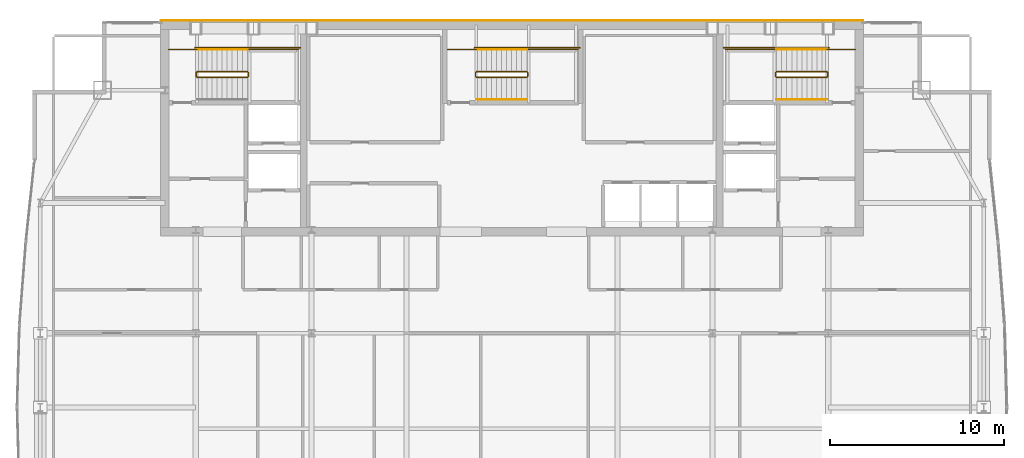
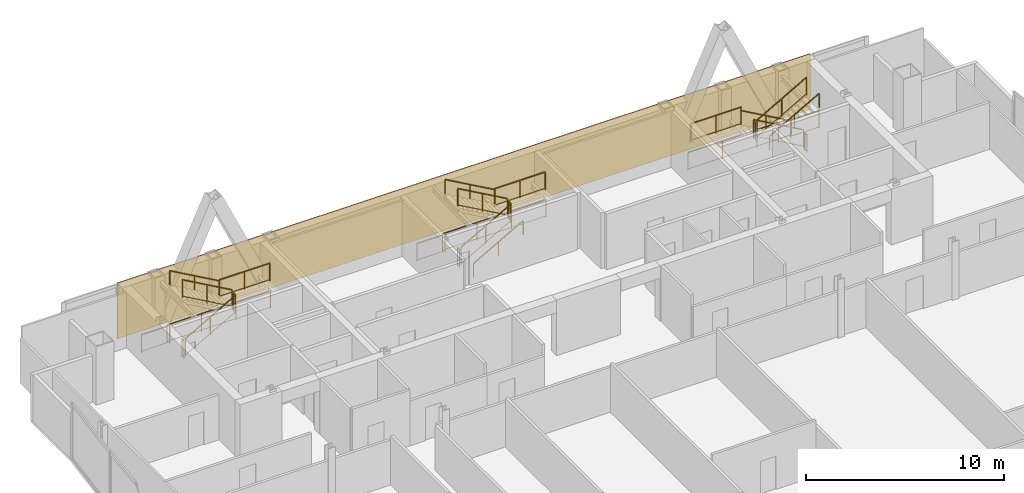
# One storey, part 30 of 30: 26 railings, 1 covering.
"""IFC4 building model written with IfcOpenShell, lengths in metres."""

from ifc_helpers import new_model, si_unit, direction, frame, origin, origin_2d, place, context, subcontext, project, spatial, polyline, rectangle, outline, extrude, material, layer, layer_set, type_object, element, save


model = new_model("IFC4")

# Units and contexts
model_context = context("Model", 3, precision=1e-05, world=origin(), true_north=direction((0.0, 1.0)))
body_context = subcontext(model_context, "Body", "Model", "MODEL_VIEW")
ifc_project = project(units=[si_unit("LENGTHUNIT", "METRE"), si_unit("AREAUNIT", "SQUARE_METRE"), si_unit("VOLUMEUNIT", "CUBIC_METRE"), si_unit("PLANEANGLEUNIT", "RADIAN"), si_unit("MASSUNIT", "GRAM", prefix="KILO")], contexts=[model_context])

# Site, building, storey
site_placement = place(None, origin())
site = spatial("IfcSite", under=ifc_project, at=site_placement, CompositionType="ELEMENT")
building_placement = place(site_placement, origin())
building = spatial("IfcBuilding", under=site, at=building_placement, Name="Khoronbel Lancet Exchange", CompositionType="ELEMENT")
storey_placement = place(building_placement, frame((0.0, 0.0, 284.199951171875)))
storey = spatial("IfcBuildingStorey", under=building, at=storey_placement, Name="L73", CompositionType="ELEMENT", Elevation=284.199951171875)

# Covering
ifc_material_1 = material(Name="Honed Egyptian Limestone & Bronze Rainscreen", Category="masonry")
ifc_layer = layer(ifc_material_1, 0.050048828125, Name="Honed Egyptian Limestone & Bronze Rainscreen")
ifc_layer_set = layer_set([ifc_layer], Name="Honed Egyptian Limestone & Bronze Rainscreen")
covering_type = type_object("IfcCoveringType", Name="COV-CLAD1", PredefinedType="CLADDING", material=ifc_layer_set)
covering_placement = place(storey_placement, origin())
element("IfcCovering", 1, at=covering_placement, inside=storey, type_object=covering_type, Name="Level L73 north rear-core stone and bronze rainscreen cladding", PredefinedType="CLADDING", context=body_context, shape_type="SweptSolid", body=[
    extrude(outline(polyline([(16.199951171875, 53.699951171875), (56.699951171875, 53.699951171875), (56.699951171875, 53.75), (16.199951171875, 53.75), (16.199951171875, 53.699951171875)])), origin(), (0.0, 0.0, 1.0), 3.43994140625),
])

# Railings
ifc_material_2 = material(Name="Painted Steel Balustrade", Category="steel")
railing_type_1 = type_object("IfcRailingType", Name="RL-STG110", PredefinedType="GUARDRAIL", material=ifc_material_2)
railing_1_placement = place(storey_placement, frame((18.300048828125, 50.449951171875, 0.16357421875)))
element("IfcRailing", 2, at=railing_1_placement, inside=storey, type_object=railing_type_1, Name="L73 ST1 stair guard 1", PredefinedType="GUARDRAIL", context=body_context, shape_type="SweptSolid", body=[
    extrude(rectangle(XDim=0.048095703125, YDim=0.048095703125, at=origin_2d()), frame((0.0, 0.0, 1.09619140625), z_axis=(0.870897200241, 0.0, 0.491465224214), x_axis=(0.0, 1.0, 0.0)), (0.0, 0.0, 1.0), 3.329833984375),
    extrude(rectangle(XDim=0.02392578125, YDim=0.02392578125, at=origin_2d()), frame((0.0, 0.0, 0.080078125), z_axis=(0.870897200241, 0.0, 0.491465224214), x_axis=(0.0, 1.0, 0.0)), (0.0, 0.0, 1.0), 3.329833984375),
    extrude(rectangle(XDim=0.0419921875, YDim=0.0419921875, at=origin_2d()), origin(), (0.0, 0.0, 1.0), 1.072021484375),
    extrude(rectangle(XDim=0.0419921875, YDim=0.0419921875, at=origin_2d()), frame((1.449951171875, 0.0, 0.818359375)), (0.0, 0.0, 1.0), 1.072021484375),
    extrude(rectangle(XDim=0.0419921875, YDim=0.0419921875, at=origin_2d()), frame((2.89990234375, 0.0, 1.636474609375)), (0.0, 0.0, 1.0), 1.072021484375),
])
railing_2_placement = place(storey_placement, frame((21.25, 50.5, 1.800048828125)))
element("IfcRailing", 3, at=railing_2_placement, inside=storey, type_object=railing_type_1, Name="L73 ST1 stair guard 2", PredefinedType="GUARDRAIL", context=body_context, shape_type="SweptSolid", body=[
    extrude(rectangle(XDim=0.048095703125, YDim=0.048095703125, at=origin_2d()), frame((0.0, 0.0, 1.09619140625), z_axis=(0.0, 1.0, 0.0), x_axis=(-1.0, 0.0, 0.0)), (0.0, 0.0, 1.0), 0.219970703125),
    extrude(rectangle(XDim=0.02392578125, YDim=0.02392578125, at=origin_2d()), frame((0.0, 0.0, 0.080078125), z_axis=(0.0, 1.0, 0.0), x_axis=(-1.0, 0.0, 0.0)), (0.0, 0.0, 1.0), 0.219970703125),
    extrude(rectangle(XDim=0.0419921875, YDim=0.0419921875, at=origin_2d()), origin(), (0.0, 0.0, 1.0), 1.072021484375),
    extrude(rectangle(XDim=0.0419921875, YDim=0.0419921875, at=origin_2d()), frame((0.0, 0.219970703125, 0.0)), (0.0, 0.0, 1.0), 1.072021484375),
])
railing_3_placement = place(storey_placement, frame((21.199951171875, 52.050048828125, 1.800048828125)))
element("IfcRailing", 4, at=railing_3_placement, inside=storey, type_object=railing_type_1, Name="L73 ST1 stair guard 3", PredefinedType="GUARDRAIL", context=body_context, shape_type="SweptSolid", body=[
    extrude(rectangle(XDim=0.048095703125, YDim=0.048095703125, at=origin_2d()), frame((0.0, 0.0, 1.09619140625), z_axis=(1.0, 0.0, 0.0), x_axis=(0.0, 1.0, 0.0)), (0.0, 0.0, 1.0), 2.949951171875),
    extrude(rectangle(XDim=0.02392578125, YDim=0.02392578125, at=origin_2d()), frame((0.0, 0.0, 0.080078125), z_axis=(1.0, 0.0, 0.0), x_axis=(0.0, 1.0, 0.0)), (0.0, 0.0, 1.0), 2.949951171875),
    extrude(rectangle(XDim=0.0419921875, YDim=0.0419921875, at=origin_2d()), origin(), (0.0, 0.0, 1.0), 1.072021484375),
    extrude(rectangle(XDim=0.0419921875, YDim=0.0419921875, at=origin_2d()), frame((1.47509765625, 0.0, 0.0)), (0.0, 0.0, 1.0), 1.072021484375),
    extrude(rectangle(XDim=0.0419921875, YDim=0.0419921875, at=origin_2d()), frame((2.949951171875, 0.0, 0.0)), (0.0, 0.0, 1.0), 1.072021484375),
])
railing_4_placement = place(storey_placement, frame((21.199951171875, 50.77001953125, 1.963623046875)))
element("IfcRailing", 5, at=railing_4_placement, inside=storey, type_object=railing_type_1, Name="L73 ST1 stair guard 4", PredefinedType="GUARDRAIL", context=body_context, shape_type="SweptSolid", body=[
    extrude(rectangle(XDim=0.048095703125, YDim=0.048095703125, at=origin_2d()), frame((0.0, 0.0, 1.09619140625), z_axis=(-0.870897200241, 0.0, 0.491465224214), x_axis=(0.0, -1.0, 0.0)), (0.0, 0.0, 1.0), 3.329833984375),
    extrude(rectangle(XDim=0.02392578125, YDim=0.02392578125, at=origin_2d()), frame((0.0, 0.0, 0.080078125), z_axis=(-0.870897200241, 0.0, 0.491465224214), x_axis=(0.0, -1.0, 0.0)), (0.0, 0.0, 1.0), 3.329833984375),
    extrude(rectangle(XDim=0.0419921875, YDim=0.0419921875, at=origin_2d()), origin(), (0.0, 0.0, 1.0), 1.072021484375),
    extrude(rectangle(XDim=0.0419921875, YDim=0.0419921875, at=origin_2d()), frame((-1.449951171875, 0.0, 0.818359375)), (0.0, 0.0, 1.0), 1.072021484375),
    extrude(rectangle(XDim=0.0419921875, YDim=0.0419921875, at=origin_2d()), frame((-2.89990234375, 0.0, 1.636474609375)), (0.0, 0.0, 1.0), 1.072021484375),
])
railing_5_placement = place(storey_placement, frame((18.25, 50.5, 0.0)))
element("IfcRailing", 6, at=railing_5_placement, inside=storey, type_object=railing_type_1, Name="L73 ST1 stair guard 5", PredefinedType="GUARDRAIL", context=body_context, shape_type="SweptSolid", body=[
    extrude(rectangle(XDim=0.048095703125, YDim=0.048095703125, at=origin_2d()), frame((0.0, 0.0, 1.09619140625), z_axis=(0.0, 1.0, 0.0), x_axis=(-1.0, 0.0, 0.0)), (0.0, 0.0, 1.0), 0.219970703125),
    extrude(rectangle(XDim=0.02392578125, YDim=0.02392578125, at=origin_2d()), frame((0.0, 0.0, 0.080078125), z_axis=(0.0, 1.0, 0.0), x_axis=(-1.0, 0.0, 0.0)), (0.0, 0.0, 1.0), 0.219970703125),
    extrude(rectangle(XDim=0.0419921875, YDim=0.0419921875, at=origin_2d()), origin(), (0.0, 0.0, 1.0), 1.072021484375),
    extrude(rectangle(XDim=0.0419921875, YDim=0.0419921875, at=origin_2d()), frame((0.0, 0.219970703125, 0.0)), (0.0, 0.0, 1.0), 1.072021484375),
])
railing_6_placement = place(storey_placement, frame((16.64990234375, 52.050048828125, 0.0)))
element("IfcRailing", 7, at=railing_6_placement, inside=storey, type_object=railing_type_1, Name="L73 ST1 stair guard 6", PredefinedType="GUARDRAIL", context=body_context, shape_type="SweptSolid", body=[
    extrude(rectangle(XDim=0.048095703125, YDim=0.048095703125, at=origin_2d()), frame((0.0, 0.0, 1.09619140625), z_axis=(1.0, 0.0, 0.0), x_axis=(0.0, 1.0, 0.0)), (0.0, 0.0, 1.0), 1.650146484375),
    extrude(rectangle(XDim=0.02392578125, YDim=0.02392578125, at=origin_2d()), frame((0.0, 0.0, 0.080078125), z_axis=(1.0, 0.0, 0.0), x_axis=(0.0, 1.0, 0.0)), (0.0, 0.0, 1.0), 1.650146484375),
    extrude(rectangle(XDim=0.0419921875, YDim=0.0419921875, at=origin_2d()), origin(), (0.0, 0.0, 1.0), 1.072021484375),
    extrude(rectangle(XDim=0.0419921875, YDim=0.0419921875, at=origin_2d()), frame((1.650146484375, 0.0, 0.0)), (0.0, 0.0, 1.0), 1.072021484375),
])
railing_7_placement = place(storey_placement, frame((18.199951171875, 52.14990234375, 0.0)))
element("IfcRailing", 8, at=railing_7_placement, inside=storey, type_object=railing_type_1, Name="L73 ST1 stair guard 7", PredefinedType="GUARDRAIL", context=body_context, shape_type="SweptSolid", body=[
    extrude(rectangle(XDim=0.048095703125, YDim=0.048095703125, at=origin_2d()), frame((0.0, 0.0, 1.09619140625), z_axis=(1.0, 0.0, 0.0), x_axis=(0.0, 1.0, 0.0)), (0.0, 0.0, 1.0), 6.050048828125),
    extrude(rectangle(XDim=0.02392578125, YDim=0.02392578125, at=origin_2d()), frame((0.0, 0.0, 0.080078125), z_axis=(1.0, 0.0, 0.0), x_axis=(0.0, 1.0, 0.0)), (0.0, 0.0, 1.0), 6.050048828125),
    extrude(rectangle(XDim=0.0419921875, YDim=0.0419921875, at=origin_2d()), origin(), (0.0, 0.0, 1.0), 1.072021484375),
    extrude(rectangle(XDim=0.0419921875, YDim=0.0419921875, at=origin_2d()), frame((2.0166015625, 0.0, 0.0)), (0.0, 0.0, 1.0), 1.072021484375),
    extrude(rectangle(XDim=0.0419921875, YDim=0.0419921875, at=origin_2d()), frame((4.033447265625, 0.0, 0.0)), (0.0, 0.0, 1.0), 1.072021484375),
    extrude(rectangle(XDim=0.0419921875, YDim=0.0419921875, at=origin_2d()), frame((6.050048828125, 0.0, 0.0)), (0.0, 0.0, 1.0), 1.072021484375),
])
railing_8_placement = place(storey_placement, frame((54.60009765625, 50.77001953125, 0.16357421875)))
element("IfcRailing", 9, at=railing_8_placement, inside=storey, type_object=railing_type_1, Name="L73 ST2 stair guard 1", PredefinedType="GUARDRAIL", context=body_context, shape_type="SweptSolid", body=[
    extrude(rectangle(XDim=0.048095703125, YDim=0.048095703125, at=origin_2d()), frame((0.0, 0.0, 1.09619140625), z_axis=(-0.870914908162, 0.0, 0.491433843708), x_axis=(0.0, -1.0, 0.0)), (0.0, 0.0, 1.0), 3.330078125),
    extrude(rectangle(XDim=0.02392578125, YDim=0.02392578125, at=origin_2d()), frame((0.0, 0.0, 0.080078125), z_axis=(-0.870914908162, 0.0, 0.491433843708), x_axis=(0.0, -1.0, 0.0)), (0.0, 0.0, 1.0), 3.330078125),
    extrude(rectangle(XDim=0.0419921875, YDim=0.0419921875, at=origin_2d()), origin(), (0.0, 0.0, 1.0), 1.072021484375),
    extrude(rectangle(XDim=0.0419921875, YDim=0.0419921875, at=origin_2d()), frame((-1.4501953125, 0.0, 0.818359375)), (0.0, 0.0, 1.0), 1.072021484375),
    extrude(rectangle(XDim=0.0419921875, YDim=0.0419921875, at=origin_2d()), frame((-2.900146484375, 0.0, 1.636474609375)), (0.0, 0.0, 1.0), 1.072021484375),
])
railing_9_placement = place(storey_placement, frame((51.64990234375, 50.719970703125, 1.800048828125)))
element("IfcRailing", 10, at=railing_9_placement, inside=storey, type_object=railing_type_1, Name="L73 ST2 stair guard 2", PredefinedType="GUARDRAIL", context=body_context, shape_type="SweptSolid", body=[
    extrude(rectangle(XDim=0.048095703125, YDim=0.048095703125, at=origin_2d()), frame((0.0, 0.0, 1.09619140625), z_axis=(0.0, -1.0, 0.0), x_axis=(1.0, 0.0, 0.0)), (0.0, 0.0, 1.0), 0.219970703125),
    extrude(rectangle(XDim=0.02392578125, YDim=0.02392578125, at=origin_2d()), frame((0.0, 0.0, 0.080078125), z_axis=(0.0, -1.0, 0.0), x_axis=(1.0, 0.0, 0.0)), (0.0, 0.0, 1.0), 0.219970703125),
    extrude(rectangle(XDim=0.0419921875, YDim=0.0419921875, at=origin_2d()), origin(), (0.0, 0.0, 1.0), 1.072021484375),
    extrude(rectangle(XDim=0.0419921875, YDim=0.0419921875, at=origin_2d()), frame((0.0, -0.219970703125, 0.0)), (0.0, 0.0, 1.0), 1.072021484375),
])
railing_10_placement = place(storey_placement, frame((51.699951171875, 52.050048828125, 1.800048828125)))
element("IfcRailing", 11, at=railing_10_placement, inside=storey, type_object=railing_type_1, Name="L73 ST2 stair guard 3", PredefinedType="GUARDRAIL", context=body_context, shape_type="SweptSolid", body=[
    extrude(rectangle(XDim=0.048095703125, YDim=0.048095703125, at=origin_2d()), frame((0.0, 0.0, 1.09619140625), z_axis=(-1.0, 0.0, 0.0), x_axis=(0.0, -1.0, 0.0)), (0.0, 0.0, 1.0), 2.949951171875),
    extrude(rectangle(XDim=0.02392578125, YDim=0.02392578125, at=origin_2d()), frame((0.0, 0.0, 0.080078125), z_axis=(-1.0, 0.0, 0.0), x_axis=(0.0, -1.0, 0.0)), (0.0, 0.0, 1.0), 2.949951171875),
    extrude(rectangle(XDim=0.0419921875, YDim=0.0419921875, at=origin_2d()), origin(), (0.0, 0.0, 1.0), 1.072021484375),
    extrude(rectangle(XDim=0.0419921875, YDim=0.0419921875, at=origin_2d()), frame((-1.47509765625, 0.0, 0.0)), (0.0, 0.0, 1.0), 1.072021484375),
    extrude(rectangle(XDim=0.0419921875, YDim=0.0419921875, at=origin_2d()), frame((-2.949951171875, 0.0, 0.0)), (0.0, 0.0, 1.0), 1.072021484375),
])
railing_11_placement = place(storey_placement, frame((51.699951171875, 50.449951171875, 1.963623046875)))
element("IfcRailing", 12, at=railing_11_placement, inside=storey, type_object=railing_type_1, Name="L73 ST2 stair guard 4", PredefinedType="GUARDRAIL", context=body_context, shape_type="SweptSolid", body=[
    extrude(rectangle(XDim=0.048095703125, YDim=0.048095703125, at=origin_2d()), frame((0.0, 0.0, 1.09619140625), z_axis=(0.870914908162, 0.0, 0.491433843708), x_axis=(0.0, 1.0, 0.0)), (0.0, 0.0, 1.0), 3.330078125),
    extrude(rectangle(XDim=0.02392578125, YDim=0.02392578125, at=origin_2d()), frame((0.0, 0.0, 0.080078125), z_axis=(0.870914908162, 0.0, 0.491433843708), x_axis=(0.0, 1.0, 0.0)), (0.0, 0.0, 1.0), 3.330078125),
    extrude(rectangle(XDim=0.0419921875, YDim=0.0419921875, at=origin_2d()), origin(), (0.0, 0.0, 1.0), 1.072021484375),
    extrude(rectangle(XDim=0.0419921875, YDim=0.0419921875, at=origin_2d()), frame((1.4501953125, 0.0, 0.818359375)), (0.0, 0.0, 1.0), 1.072021484375),
    extrude(rectangle(XDim=0.0419921875, YDim=0.0419921875, at=origin_2d()), frame((2.900146484375, 0.0, 1.636474609375)), (0.0, 0.0, 1.0), 1.072021484375),
])
railing_12_placement = place(storey_placement, frame((54.64990234375, 50.719970703125, 0.0)))
element("IfcRailing", 13, at=railing_12_placement, inside=storey, type_object=railing_type_1, Name="L73 ST2 stair guard 5", PredefinedType="GUARDRAIL", context=body_context, shape_type="SweptSolid", body=[
    extrude(rectangle(XDim=0.048095703125, YDim=0.048095703125, at=origin_2d()), frame((0.0, 0.0, 1.09619140625), z_axis=(0.0, -1.0, 0.0), x_axis=(1.0, 0.0, 0.0)), (0.0, 0.0, 1.0), 0.219970703125),
    extrude(rectangle(XDim=0.02392578125, YDim=0.02392578125, at=origin_2d()), frame((0.0, 0.0, 0.080078125), z_axis=(0.0, -1.0, 0.0), x_axis=(1.0, 0.0, 0.0)), (0.0, 0.0, 1.0), 0.219970703125),
    extrude(rectangle(XDim=0.0419921875, YDim=0.0419921875, at=origin_2d()), origin(), (0.0, 0.0, 1.0), 1.072021484375),
    extrude(rectangle(XDim=0.0419921875, YDim=0.0419921875, at=origin_2d()), frame((0.0, -0.219970703125, 0.0)), (0.0, 0.0, 1.0), 1.072021484375),
])
railing_13_placement = place(storey_placement, frame((56.25, 52.050048828125, 0.0)))
element("IfcRailing", 14, at=railing_13_placement, inside=storey, type_object=railing_type_1, Name="L73 ST2 stair guard 6", PredefinedType="GUARDRAIL", context=body_context, shape_type="SweptSolid", body=[
    extrude(rectangle(XDim=0.048095703125, YDim=0.048095703125, at=origin_2d()), frame((0.0, 0.0, 1.09619140625), z_axis=(-1.0, 0.0, 0.0), x_axis=(0.0, -1.0, 0.0)), (0.0, 0.0, 1.0), 1.64990234375),
    extrude(rectangle(XDim=0.02392578125, YDim=0.02392578125, at=origin_2d()), frame((0.0, 0.0, 0.080078125), z_axis=(-1.0, 0.0, 0.0), x_axis=(0.0, -1.0, 0.0)), (0.0, 0.0, 1.0), 1.64990234375),
    extrude(rectangle(XDim=0.0419921875, YDim=0.0419921875, at=origin_2d()), origin(), (0.0, 0.0, 1.0), 1.072021484375),
    extrude(rectangle(XDim=0.0419921875, YDim=0.0419921875, at=origin_2d()), frame((-1.64990234375, 0.0, 0.0)), (0.0, 0.0, 1.0), 1.072021484375),
])
railing_14_placement = place(storey_placement, frame((54.699951171875, 52.14990234375, 0.0)))
element("IfcRailing", 15, at=railing_14_placement, inside=storey, type_object=railing_type_1, Name="L73 ST2 stair guard 7", PredefinedType="GUARDRAIL", context=body_context, shape_type="SweptSolid", body=[
    extrude(rectangle(XDim=0.048095703125, YDim=0.048095703125, at=origin_2d()), frame((0.0, 0.0, 1.09619140625), z_axis=(-1.0, 0.0, 0.0), x_axis=(0.0, -1.0, 0.0)), (0.0, 0.0, 1.0), 6.050048828125),
    extrude(rectangle(XDim=0.02392578125, YDim=0.02392578125, at=origin_2d()), frame((0.0, 0.0, 0.080078125), z_axis=(-1.0, 0.0, 0.0), x_axis=(0.0, -1.0, 0.0)), (0.0, 0.0, 1.0), 6.050048828125),
    extrude(rectangle(XDim=0.0419921875, YDim=0.0419921875, at=origin_2d()), origin(), (0.0, 0.0, 1.0), 1.072021484375),
    extrude(rectangle(XDim=0.0419921875, YDim=0.0419921875, at=origin_2d()), frame((-2.0166015625, 0.0, 0.0)), (0.0, 0.0, 1.0), 1.072021484375),
    extrude(rectangle(XDim=0.0419921875, YDim=0.0419921875, at=origin_2d()), frame((-4.033447265625, 0.0, 0.0)), (0.0, 0.0, 1.0), 1.072021484375),
    extrude(rectangle(XDim=0.0419921875, YDim=0.0419921875, at=origin_2d()), frame((-6.050048828125, 0.0, 0.0)), (0.0, 0.0, 1.0), 1.072021484375),
])
railing_15_placement = place(storey_placement, frame((34.39990234375, 50.449951171875, 0.16357421875)))
element("IfcRailing", 16, at=railing_15_placement, inside=storey, type_object=railing_type_1, Name="L73 ST3 stair guard 1", PredefinedType="GUARDRAIL", context=body_context, shape_type="SweptSolid", body=[
    extrude(rectangle(XDim=0.048095703125, YDim=0.048095703125, at=origin_2d()), frame((0.0, 0.0, 1.09619140625), z_axis=(0.870914908162, 0.0, 0.491433843708), x_axis=(0.0, 1.0, 0.0)), (0.0, 0.0, 1.0), 3.330078125),
    extrude(rectangle(XDim=0.02392578125, YDim=0.02392578125, at=origin_2d()), frame((0.0, 0.0, 0.080078125), z_axis=(0.870914908162, 0.0, 0.491433843708), x_axis=(0.0, 1.0, 0.0)), (0.0, 0.0, 1.0), 3.330078125),
    extrude(rectangle(XDim=0.0419921875, YDim=0.0419921875, at=origin_2d()), origin(), (0.0, 0.0, 1.0), 1.072021484375),
    extrude(rectangle(XDim=0.0419921875, YDim=0.0419921875, at=origin_2d()), frame((1.4501953125, 0.0, 0.818359375)), (0.0, 0.0, 1.0), 1.072021484375),
    extrude(rectangle(XDim=0.0419921875, YDim=0.0419921875, at=origin_2d()), frame((2.900146484375, 0.0, 1.636474609375)), (0.0, 0.0, 1.0), 1.072021484375),
])
railing_16_placement = place(storey_placement, frame((37.35009765625, 50.5, 1.800048828125)))
element("IfcRailing", 17, at=railing_16_placement, inside=storey, type_object=railing_type_1, Name="L73 ST3 stair guard 2", PredefinedType="GUARDRAIL", context=body_context, shape_type="SweptSolid", body=[
    extrude(rectangle(XDim=0.048095703125, YDim=0.048095703125, at=origin_2d()), frame((0.0, 0.0, 1.09619140625), z_axis=(0.0, 1.0, 0.0), x_axis=(-1.0, 0.0, 0.0)), (0.0, 0.0, 1.0), 0.219970703125),
    extrude(rectangle(XDim=0.02392578125, YDim=0.02392578125, at=origin_2d()), frame((0.0, 0.0, 0.080078125), z_axis=(0.0, 1.0, 0.0), x_axis=(-1.0, 0.0, 0.0)), (0.0, 0.0, 1.0), 0.219970703125),
    extrude(rectangle(XDim=0.0419921875, YDim=0.0419921875, at=origin_2d()), origin(), (0.0, 0.0, 1.0), 1.072021484375),
    extrude(rectangle(XDim=0.0419921875, YDim=0.0419921875, at=origin_2d()), frame((0.0, 0.219970703125, 0.0)), (0.0, 0.0, 1.0), 1.072021484375),
])
railing_17_placement = place(storey_placement, frame((37.300048828125, 52.050048828125, 1.800048828125)))
element("IfcRailing", 18, at=railing_17_placement, inside=storey, type_object=railing_type_1, Name="L73 ST3 stair guard 3", PredefinedType="GUARDRAIL", context=body_context, shape_type="SweptSolid", body=[
    extrude(rectangle(XDim=0.048095703125, YDim=0.048095703125, at=origin_2d()), frame((0.0, 0.0, 1.09619140625), z_axis=(1.0, 0.0, 0.0), x_axis=(0.0, 1.0, 0.0)), (0.0, 0.0, 1.0), 2.949951171875),
    extrude(rectangle(XDim=0.02392578125, YDim=0.02392578125, at=origin_2d()), frame((0.0, 0.0, 0.080078125), z_axis=(1.0, 0.0, 0.0), x_axis=(0.0, 1.0, 0.0)), (0.0, 0.0, 1.0), 2.949951171875),
    extrude(rectangle(XDim=0.0419921875, YDim=0.0419921875, at=origin_2d()), origin(), (0.0, 0.0, 1.0), 1.072021484375),
    extrude(rectangle(XDim=0.0419921875, YDim=0.0419921875, at=origin_2d()), frame((1.47509765625, 0.0, 0.0)), (0.0, 0.0, 1.0), 1.072021484375),
    extrude(rectangle(XDim=0.0419921875, YDim=0.0419921875, at=origin_2d()), frame((2.949951171875, 0.0, 0.0)), (0.0, 0.0, 1.0), 1.072021484375),
])
railing_18_placement = place(storey_placement, frame((37.300048828125, 50.77001953125, 1.963623046875)))
element("IfcRailing", 19, at=railing_18_placement, inside=storey, type_object=railing_type_1, Name="L73 ST3 stair guard 4", PredefinedType="GUARDRAIL", context=body_context, shape_type="SweptSolid", body=[
    extrude(rectangle(XDim=0.048095703125, YDim=0.048095703125, at=origin_2d()), frame((0.0, 0.0, 1.09619140625), z_axis=(-0.870914908162, 0.0, 0.491433843708), x_axis=(0.0, -1.0, 0.0)), (0.0, 0.0, 1.0), 3.330078125),
    extrude(rectangle(XDim=0.02392578125, YDim=0.02392578125, at=origin_2d()), frame((0.0, 0.0, 0.080078125), z_axis=(-0.870914908162, 0.0, 0.491433843708), x_axis=(0.0, -1.0, 0.0)), (0.0, 0.0, 1.0), 3.330078125),
    extrude(rectangle(XDim=0.0419921875, YDim=0.0419921875, at=origin_2d()), origin(), (0.0, 0.0, 1.0), 1.072021484375),
    extrude(rectangle(XDim=0.0419921875, YDim=0.0419921875, at=origin_2d()), frame((-1.4501953125, 0.0, 0.818359375)), (0.0, 0.0, 1.0), 1.072021484375),
    extrude(rectangle(XDim=0.0419921875, YDim=0.0419921875, at=origin_2d()), frame((-2.900146484375, 0.0, 1.636474609375)), (0.0, 0.0, 1.0), 1.072021484375),
])
railing_19_placement = place(storey_placement, frame((34.35009765625, 50.5, 0.0)))
element("IfcRailing", 20, at=railing_19_placement, inside=storey, type_object=railing_type_1, Name="L73 ST3 stair guard 5", PredefinedType="GUARDRAIL", context=body_context, shape_type="SweptSolid", body=[
    extrude(rectangle(XDim=0.048095703125, YDim=0.048095703125, at=origin_2d()), frame((0.0, 0.0, 1.09619140625), z_axis=(0.0, 1.0, 0.0), x_axis=(-1.0, 0.0, 0.0)), (0.0, 0.0, 1.0), 0.219970703125),
    extrude(rectangle(XDim=0.02392578125, YDim=0.02392578125, at=origin_2d()), frame((0.0, 0.0, 0.080078125), z_axis=(0.0, 1.0, 0.0), x_axis=(-1.0, 0.0, 0.0)), (0.0, 0.0, 1.0), 0.219970703125),
    extrude(rectangle(XDim=0.0419921875, YDim=0.0419921875, at=origin_2d()), origin(), (0.0, 0.0, 1.0), 1.072021484375),
    extrude(rectangle(XDim=0.0419921875, YDim=0.0419921875, at=origin_2d()), frame((0.0, 0.219970703125, 0.0)), (0.0, 0.0, 1.0), 1.072021484375),
])
railing_20_placement = place(storey_placement, frame((32.75, 52.050048828125, 0.0)))
element("IfcRailing", 21, at=railing_20_placement, inside=storey, type_object=railing_type_1, Name="L73 ST3 stair guard 6", PredefinedType="GUARDRAIL", context=body_context, shape_type="SweptSolid", body=[
    extrude(rectangle(XDim=0.048095703125, YDim=0.048095703125, at=origin_2d()), frame((0.0, 0.0, 1.09619140625), z_axis=(1.0, 0.0, 0.0), x_axis=(0.0, 1.0, 0.0)), (0.0, 0.0, 1.0), 1.64990234375),
    extrude(rectangle(XDim=0.02392578125, YDim=0.02392578125, at=origin_2d()), frame((0.0, 0.0, 0.080078125), z_axis=(1.0, 0.0, 0.0), x_axis=(0.0, 1.0, 0.0)), (0.0, 0.0, 1.0), 1.64990234375),
    extrude(rectangle(XDim=0.0419921875, YDim=0.0419921875, at=origin_2d()), origin(), (0.0, 0.0, 1.0), 1.072021484375),
    extrude(rectangle(XDim=0.0419921875, YDim=0.0419921875, at=origin_2d()), frame((1.64990234375, 0.0, 0.0)), (0.0, 0.0, 1.0), 1.072021484375),
])
railing_21_placement = place(storey_placement, frame((34.300048828125, 52.14990234375, 0.0)))
element("IfcRailing", 22, at=railing_21_placement, inside=storey, type_object=railing_type_1, Name="L73 ST3 stair guard 7", PredefinedType="GUARDRAIL", context=body_context, shape_type="SweptSolid", body=[
    extrude(rectangle(XDim=0.048095703125, YDim=0.048095703125, at=origin_2d()), frame((0.0, 0.0, 1.09619140625), z_axis=(1.0, 0.0, 0.0), x_axis=(0.0, 1.0, 0.0)), (0.0, 0.0, 1.0), 6.050048828125),
    extrude(rectangle(XDim=0.02392578125, YDim=0.02392578125, at=origin_2d()), frame((0.0, 0.0, 0.080078125), z_axis=(1.0, 0.0, 0.0), x_axis=(0.0, 1.0, 0.0)), (0.0, 0.0, 1.0), 6.050048828125),
    extrude(rectangle(XDim=0.0419921875, YDim=0.0419921875, at=origin_2d()), origin(), (0.0, 0.0, 1.0), 1.072021484375),
    extrude(rectangle(XDim=0.0419921875, YDim=0.0419921875, at=origin_2d()), frame((2.0166015625, 0.0, 0.0)), (0.0, 0.0, 1.0), 1.072021484375),
    extrude(rectangle(XDim=0.0419921875, YDim=0.0419921875, at=origin_2d()), frame((4.033447265625, 0.0, 0.0)), (0.0, 0.0, 1.0), 1.072021484375),
    extrude(rectangle(XDim=0.0419921875, YDim=0.0419921875, at=origin_2d()), frame((6.050048828125, 0.0, 0.0)), (0.0, 0.0, 1.0), 1.072021484375),
])
ifc_material_3 = material(Name="Brushed Stainless Steel 316", Category="steel")
railing_type_2 = type_object("IfcRailingType", Name="RL-STH92", PredefinedType="HANDRAIL", material=ifc_material_3)
railing_22_placement = place(storey_placement, frame((21.199951171875, 52.050048828125, 1.963623046875)))
element("IfcRailing", 23, at=railing_22_placement, inside=storey, type_object=railing_type_2, Name="L73 ST1 stair handrail 2", PredefinedType="HANDRAIL", context=body_context, shape_type="SweptSolid", body=[
    extrude(rectangle(XDim=0.048095703125, YDim=0.048095703125, at=origin_2d()), frame((0.0, 0.0, 0.8759765625), z_axis=(-0.870897200241, 0.0, 0.491465224214), x_axis=(0.0, -1.0, 0.0)), (0.0, 0.0, 1.0), 3.329833984375),
    extrude(rectangle(XDim=0.0419921875, YDim=0.0419921875, at=origin_2d()), origin(), (0.0, 0.0, 1.0), 0.851806640625),
    extrude(rectangle(XDim=0.0419921875, YDim=0.0419921875, at=origin_2d()), frame((-1.449951171875, 0.0, 0.818359375)), (0.0, 0.0, 1.0), 0.851806640625),
    extrude(rectangle(XDim=0.0419921875, YDim=0.0419921875, at=origin_2d()), frame((-2.89990234375, 0.0, 1.636474609375)), (0.0, 0.0, 1.0), 0.851806640625),
])
railing_23_placement = place(storey_placement, frame((54.60009765625, 52.050048828125, 0.16357421875)))
element("IfcRailing", 24, at=railing_23_placement, inside=storey, type_object=railing_type_2, Name="L73 ST2 stair handrail 1", PredefinedType="HANDRAIL", context=body_context, shape_type="SweptSolid", body=[
    extrude(rectangle(XDim=0.048095703125, YDim=0.048095703125, at=origin_2d()), frame((0.0, 0.0, 0.8759765625), z_axis=(-0.870914908162, 0.0, 0.491433843708), x_axis=(0.0, -1.0, 0.0)), (0.0, 0.0, 1.0), 3.330078125),
    extrude(rectangle(XDim=0.0419921875, YDim=0.0419921875, at=origin_2d()), origin(), (0.0, 0.0, 1.0), 0.851806640625),
    extrude(rectangle(XDim=0.0419921875, YDim=0.0419921875, at=origin_2d()), frame((-1.4501953125, 0.0, 0.818359375)), (0.0, 0.0, 1.0), 0.851806640625),
    extrude(rectangle(XDim=0.0419921875, YDim=0.0419921875, at=origin_2d()), frame((-2.900146484375, 0.0, 1.636474609375)), (0.0, 0.0, 1.0), 0.851806640625),
])
for number, where, name in (
    (25, (51.699951171875, 49.169921875, 1.963623046875), "L73 ST2 stair handrail 2"),
    (26, (34.39990234375, 49.169921875, 0.16357421875), "L73 ST3 stair handrail 1"),
):
    element("IfcRailing", number, at=place(storey_placement, frame(where)), inside=storey, type_object=railing_type_2, Name=name, PredefinedType="HANDRAIL", context=body_context, shape_type="SweptSolid", body=[
        extrude(rectangle(XDim=0.048095703125, YDim=0.048095703125, at=origin_2d()), frame((0.0, 0.0, 0.8759765625), z_axis=(0.870914908162, 0.0, 0.491433843708), x_axis=(0.0, 1.0, 0.0)), (0.0, 0.0, 1.0), 3.330078125),
        extrude(rectangle(XDim=0.0419921875, YDim=0.0419921875, at=origin_2d()), origin(), (0.0, 0.0, 1.0), 0.851806640625),
        extrude(rectangle(XDim=0.0419921875, YDim=0.0419921875, at=origin_2d()), frame((1.4501953125, 0.0, 0.818359375)), (0.0, 0.0, 1.0), 0.851806640625),
        extrude(rectangle(XDim=0.0419921875, YDim=0.0419921875, at=origin_2d()), frame((2.900146484375, 0.0, 1.636474609375)), (0.0, 0.0, 1.0), 0.851806640625),
    ])
railing_24_placement = place(storey_placement, frame((37.300048828125, 52.050048828125, 1.963623046875)))
element("IfcRailing", 27, at=railing_24_placement, inside=storey, type_object=railing_type_2, Name="L73 ST3 stair handrail 2", PredefinedType="HANDRAIL", context=body_context, shape_type="SweptSolid", body=[
    extrude(rectangle(XDim=0.048095703125, YDim=0.048095703125, at=origin_2d()), frame((0.0, 0.0, 0.8759765625), z_axis=(-0.870914908162, 0.0, 0.491433843708), x_axis=(0.0, -1.0, 0.0)), (0.0, 0.0, 1.0), 3.330078125),
    extrude(rectangle(XDim=0.0419921875, YDim=0.0419921875, at=origin_2d()), origin(), (0.0, 0.0, 1.0), 0.851806640625),
    extrude(rectangle(XDim=0.0419921875, YDim=0.0419921875, at=origin_2d()), frame((-1.4501953125, 0.0, 0.818359375)), (0.0, 0.0, 1.0), 0.851806640625),
    extrude(rectangle(XDim=0.0419921875, YDim=0.0419921875, at=origin_2d()), frame((-2.900146484375, 0.0, 1.636474609375)), (0.0, 0.0, 1.0), 0.851806640625),
])

save(model, "model.ifc")
